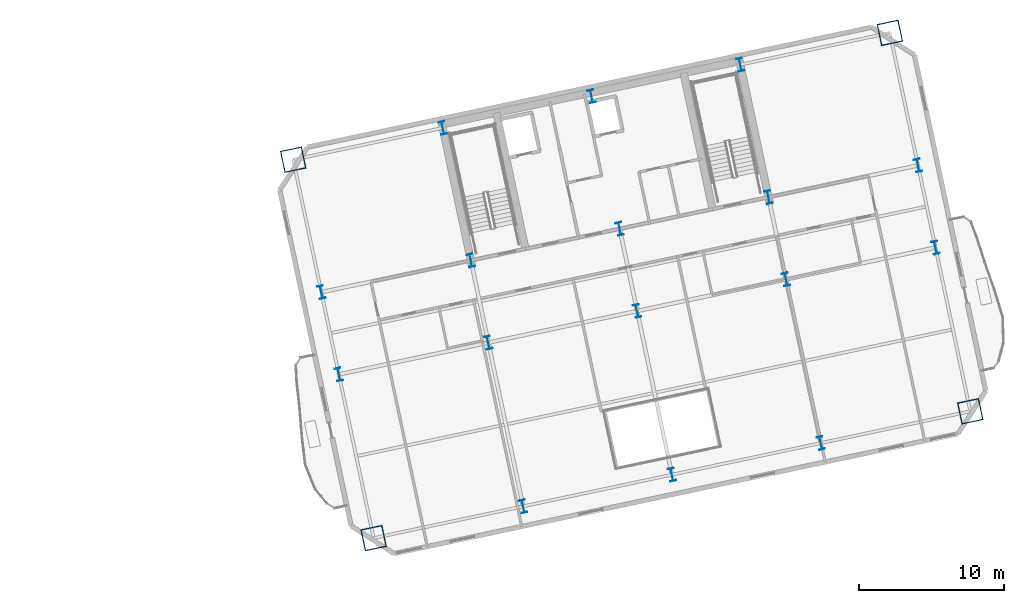
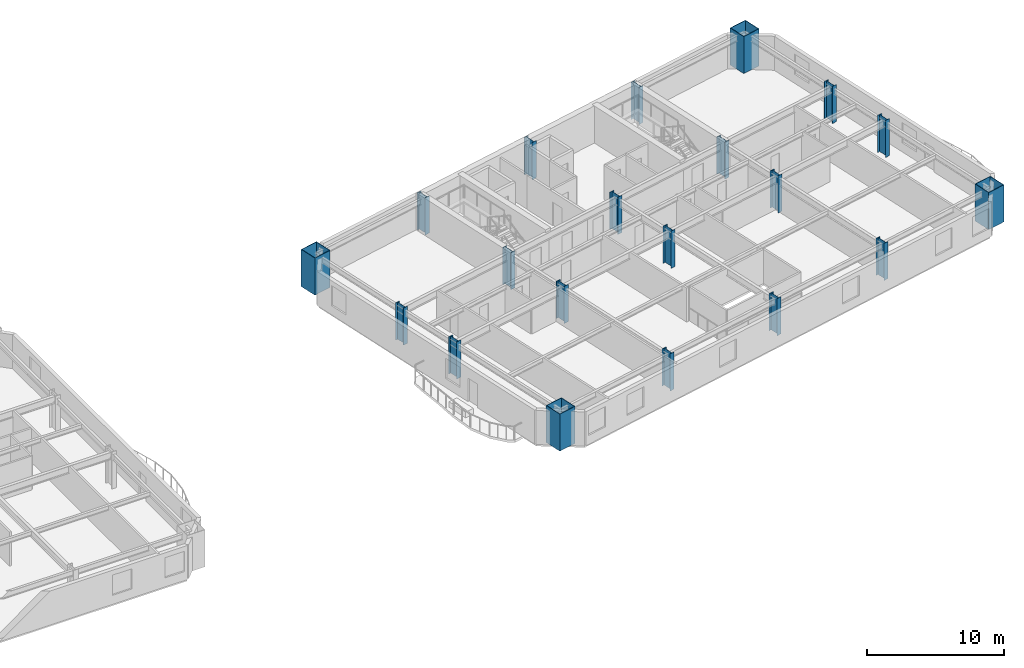
# One storey, part 2 of 14: 20 columns.
"""IFC4 building model written with IfcOpenShell, lengths in metres."""

from ifc_helpers import new_model, si_unit, direction, frame, origin, origin_2d, place, context, subcontext, project, spatial, hollow_rectangle, i_section, extrude, material, material_profile, profile_set, type_object, element, save


model = new_model("IFC4")

# Units and contexts
model_context = context("Model", 3, precision=1e-05, world=origin(), true_north=direction((0.0, 1.0)))
body_context = subcontext(model_context, "Body", "Model", "MODEL_VIEW")
ifc_project = project(units=[si_unit("LENGTHUNIT", "METRE"), si_unit("AREAUNIT", "SQUARE_METRE"), si_unit("VOLUMEUNIT", "CUBIC_METRE"), si_unit("PLANEANGLEUNIT", "RADIAN"), si_unit("MASSUNIT", "GRAM", prefix="KILO")], contexts=[model_context])

# Site, building, storey
site_placement = place(None, origin())
site = spatial("IfcSite", under=ifc_project, at=site_placement, CompositionType="ELEMENT")
building_placement = place(site_placement, origin())
building = spatial("IfcBuilding", under=site, at=building_placement, Name="Haevon Station Towers", CompositionType="ELEMENT")
storey_placement = place(building_placement, frame((0.0, 0.0, 86.699951171875)))
storey = spatial("IfcBuildingStorey", under=building, at=storey_placement, Name="L22", CompositionType="ELEMENT", Elevation=86.699951171875)

# Columns
ifc_material = material(Name="Steel S460", Category="steel")
ifc_material_profile_1 = material_profile(ifc_material, hollow_rectangle(XDim=1.5, YDim=1.5, WallThickness=0.0400390625, at=origin_2d()), Name="BOX-1500x1500x40")
ifc_profile_set_1 = profile_set([ifc_material_profile_1], Name="Steel S460")
column_type_1 = type_object("IfcColumnType", Name="COL-MC2", PredefinedType="COLUMN", material=ifc_profile_set_1)
for number, where, z_axis, x_axis, name in (
    (1, (92.040283203125, 18.278076171875, 0.0), (0.0, 0.0, 1.0), (0.978147600734, 0.207911690818, 0.0), "COL-T2-L22-01-01"),
    (2, (86.489013671875, 44.39453125, 0.0), (0.0, 0.0, 1.0), (0.978147600734, 0.207911690818, 0.0), "COL-T2-L22-01-04"),
    (3, (133.22021484375, 27.03125, 0.0), (0.0, 0.0, 1.0), (0.978147600734, 0.207911690818, 0.0), "COL-T2-L22-05-01"),
    (4, (127.6689453125, 53.147705078125, 0.0), (0.0, 0.0, 1.0), (0.978147600734, 0.207911690818, 0.0), "COL-T2-L22-05-04"),
):
    element("IfcColumn", number, at=place(storey_placement, frame(where, z_axis=z_axis, x_axis=x_axis)), inside=storey, type_object=column_type_1, Name=name, PredefinedType="COLUMN", context=body_context, shape_type="SweptSolid", body=[
        extrude(hollow_rectangle(XDim=1.5, YDim=1.5, WallThickness=0.0400390625, at=origin_2d()), origin(), (0.0, 0.0, 1.0), 3.300048828125),
    ])
ifc_material_profile_2 = material_profile(ifc_material, i_section(OverallWidth=0.39990234375, OverallDepth=0.89990234375, WebThickness=0.02001953125, FlangeThickness=0.035888671875, at=origin_2d()), Name="H-900x400x20x36")
ifc_profile_set_2 = profile_set([ifc_material_profile_2], Name="Steel S460")
column_type_2 = type_object("IfcColumnType", Name="COL-TW1", PredefinedType="COLUMN", material=ifc_profile_set_2)
for number, where, z_axis, x_axis, name in (
    (5, (89.638671875, 29.57568359375, 0.0), (0.0, 0.0, 1.0), (0.978147600734, 0.207911690818, 0.0), "COL-T2-L22-01-02"),
    (6, (88.432861328125, 35.2490234375, 0.0), (0.0, 0.0, 1.0), (0.978147600734, 0.207911690818, 0.0), "COL-T2-L22-01-03"),
    (7, (102.359619140625, 20.471435546875, 0.0), (0.0, 0.0, 1.0), (0.978147600734, 0.207911690818, 0.0), "COL-T2-L22-02-01"),
    (8, (99.958251953125, 31.76904296875, 0.0), (0.0, 0.0, 1.0), (0.978147600734, 0.207911690818, 0.0), "COL-T2-L22-02-02"),
    (9, (98.75244140625, 37.4423828125, 0.0), (0.0, 0.0, 1.0), (0.978147600734, 0.207911690818, 0.0), "COL-T2-L22-02-03"),
    (10, (96.808349609375, 46.588134765625, 0.0), (0.0, 0.0, 1.0), (0.978147600734, 0.207911690818, 0.0), "COL-T2-L22-02-04"),
    (11, (112.630126953125, 22.654541015625, 0.0), (0.0, 0.0, 1.0), (0.978147600734, 0.207911690818, 0.0), "COL-T2-L22-03-01"),
    (12, (110.228759765625, 33.9521484375, 0.0), (0.0, 0.0, 1.0), (0.978147600734, 0.207911690818, 0.0), "COL-T2-L22-03-02"),
    (13, (109.02294921875, 39.62548828125, 0.0), (0.0, 0.0, 1.0), (0.978147600734, 0.207911690818, 0.0), "COL-T2-L22-03-03"),
    (14, (107.078857421875, 48.771240234375, 0.0), (0.0, 0.0, 1.0), (0.978147600734, 0.207911690818, 0.0), "COL-T2-L22-03-04"),
    (15, (122.900634765625, 24.837646484375, 0.0), (0.0, 0.0, 1.0), (0.978147600734, 0.207911690818, 0.0), "COL-T2-L22-04-01"),
    (16, (120.499267578125, 36.13525390625, 0.0), (0.0, 0.0, 1.0), (0.978147600734, 0.207911690818, 0.0), "COL-T2-L22-04-02"),
    (17, (119.29345703125, 41.80859375, 0.0), (0.0, 0.0, 1.0), (0.978147600734, 0.207911690818, 0.0), "COL-T2-L22-04-03"),
    (18, (117.349365234375, 50.954345703125, 0.0), (0.0, 0.0, 1.0), (0.978147600734, 0.207911690818, 0.0), "COL-T2-L22-04-04"),
    (19, (130.81884765625, 38.328857421875, 0.0), (0.0, 0.0, 1.0), (0.978147600734, 0.207911690818, 0.0), "COL-T2-L22-05-02"),
    (20, (129.61279296875, 44.001953125, 0.0), (0.0, 0.0, 1.0), (0.978147600734, 0.207911690818, 0.0), "COL-T2-L22-05-03"),
):
    element("IfcColumn", number, at=place(storey_placement, frame(where, z_axis=z_axis, x_axis=x_axis)), inside=storey, type_object=column_type_2, Name=name, PredefinedType="COLUMN", context=body_context, shape_type="SweptSolid", body=[
        extrude(i_section(OverallWidth=0.39990234375, OverallDepth=0.89990234375, WebThickness=0.02001953125, FlangeThickness=0.035888671875, at=origin_2d()), origin(), (0.0, 0.0, 1.0), 3.300048828125),
    ])

save(model, "model.ifc")
